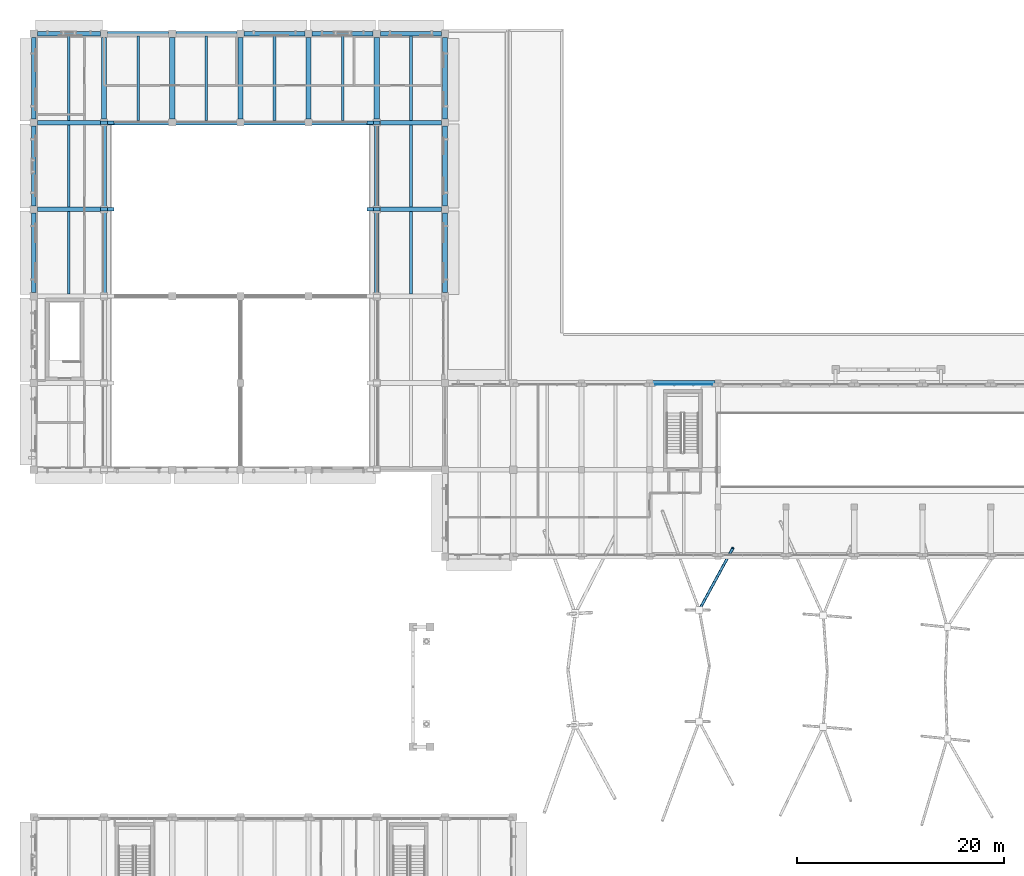
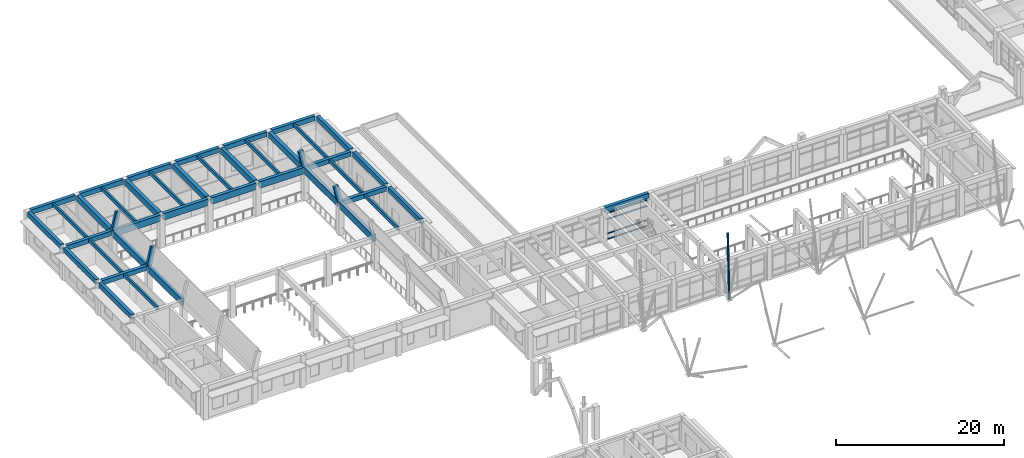
# One storey, part 18 of 75: 44 beams, 5 members, 1 element without a shape of its own.
"""IFC4 building model written with IfcOpenShell, lengths in metres."""

from ifc_helpers import new_model, si_unit, direction, frame, origin, origin_2d, place, context, subcontext, project, spatial, rectangle, hollow_circle, extrude, material, layer, layer_set, material_profile, profile_set, type_object, element, aggregate, save


model = new_model("IFC4")

# Units and contexts
model_context = context("Model", 3, precision=1e-05, world=origin(), true_north=direction((0.0, 1.0)))
body_context = subcontext(model_context, "Body", "Model", "MODEL_VIEW")
ifc_project = project(units=[si_unit("LENGTHUNIT", "METRE"), si_unit("AREAUNIT", "SQUARE_METRE"), si_unit("VOLUMEUNIT", "CUBIC_METRE"), si_unit("PLANEANGLEUNIT", "RADIAN"), si_unit("MASSUNIT", "GRAM", prefix="KILO")], contexts=[model_context])

# Site, building, storey
site_placement = place(None, origin())
site = spatial("IfcSite", under=ifc_project, at=site_placement, CompositionType="ELEMENT")
building_placement = place(site_placement, origin())
building = spatial("IfcBuilding", under=site, at=building_placement, Name="Kolvaren Faculty of Natural Sciences", CompositionType="ELEMENT")
storey_placement = place(building_placement, frame((0.0, 0.0, 5.39990234375)))
storey = spatial("IfcBuildingStorey", under=building, at=storey_placement, Name="L01", CompositionType="ELEMENT", Elevation=5.39990234375)

# Curtain wall, members
ifc_material_1 = material(Name="Thermally broken anodised aluminium framing", Category="aluminium")
ifc_layer = layer(ifc_material_1, 0.179931640625)
ifc_layer_set = layer_set([ifc_layer], Name="Thermally broken anodised aluminium framing")
curtain_wall_type = type_object("IfcCurtainWallType", Name="AtriumCurtainWall_CW01", PredefinedType="NOTDEFINED", material=ifc_layer_set)
curtain_wall_placement = place(storey_placement, origin())
curtain_wall = element("IfcCurtainWall", 1, at=curtain_wall_placement, inside=storey, type_object=curtain_wall_type, Name="L01 unitised curtain wall CW-01 (CW-L01-055)", PredefinedType="NOTDEFINED")
ifc_material_profile_1 = material_profile(ifc_material_1, rectangle(XDim=0.06005859375, YDim=0.139892578125, at=origin_2d()), Name="ALU TRN 60x140")
ifc_profile_set_1 = profile_set([ifc_material_profile_1], Name="Thermally broken anodised aluminium framing")
member_type_1 = type_object("IfcMemberType", Name="CurtainTransom_60x140", PredefinedType="USERDEFINED", material=ifc_profile_set_1)
member_1_placement = place(storey_placement, frame((60.14990234375, 84.0400390625, 0.080078125), z_axis=(1.0, 0.0, 0.0), x_axis=(0.0, 1.0, 0.0)))
member_1 = element("IfcMember", 2, at=member_1_placement, type_object=member_type_1, Name="CW-L01-055 horizontal transom 1", ObjectType="TRANSOM", PredefinedType="USERDEFINED", context=body_context, shape_type="SweptSolid", body=[
    extrude(rectangle(XDim=0.06005859375, YDim=0.139892578125, at=origin_2d()), origin(), (0.0, 0.0, 1.0), 5.5),
])
member_2_placement = place(storey_placement, frame((60.14990234375, 84.0400390625, 0.900146484375), z_axis=(1.0, 0.0, 0.0), x_axis=(0.0, 1.0, 0.0)))
member_2 = element("IfcMember", 3, at=member_2_placement, type_object=member_type_1, Name="CW-L01-055 horizontal transom 2", ObjectType="TRANSOM", PredefinedType="USERDEFINED", context=body_context, shape_type="SweptSolid", body=[
    extrude(rectangle(XDim=0.06005859375, YDim=0.139892578125, at=origin_2d()), origin(), (0.0, 0.0, 1.0), 5.5),
])
member_3_placement = place(storey_placement, frame((60.14990234375, 84.0400390625, 2.985107421875), z_axis=(1.0, 0.0, 0.0), x_axis=(0.0, 1.0, 0.0)))
member_3 = element("IfcMember", 4, at=member_3_placement, type_object=member_type_1, Name="CW-L01-055 horizontal transom 3", ObjectType="TRANSOM", PredefinedType="USERDEFINED", context=body_context, shape_type="SweptSolid", body=[
    extrude(rectangle(XDim=0.06005859375, YDim=0.139892578125, at=origin_2d()), origin(), (0.0, 0.0, 1.0), 5.5),
])
member_4_placement = place(storey_placement, frame((60.14990234375, 84.0400390625, 3.85498046875), z_axis=(1.0, 0.0, 0.0), x_axis=(0.0, 1.0, 0.0)))
member_4 = element("IfcMember", 5, at=member_4_placement, type_object=member_type_1, Name="CW-L01-055 horizontal transom 4", ObjectType="TRANSOM", PredefinedType="USERDEFINED", context=body_context, shape_type="SweptSolid", body=[
    extrude(rectangle(XDim=0.06005859375, YDim=0.139892578125, at=origin_2d()), origin(), (0.0, 0.0, 1.0), 5.5),
])
aggregate(curtain_wall, [member_1, member_2, member_3, member_4])

# Beams
ifc_material_2 = material(Name="Concrete C35/45", Category="concrete")
ifc_material_profile_2 = material_profile(ifc_material_2, rectangle(XDim=0.449951171875, YDim=0.64990234375, at=origin_2d()), Name="RC BM 450x650")
ifc_profile_set_2 = profile_set([ifc_material_profile_2], Name="Concrete C35/45")
beam_type_1 = type_object("IfcBeamType", Name="GridBeam_450x650", PredefinedType="BEAM", material=ifc_profile_set_2)
beam_1_placement = place(storey_placement, frame((0.35009765625, 101.0, 4.47509765625), z_axis=(1.0, 0.0, 0.0), x_axis=(0.0, 1.0, 0.0)))
element("IfcBeam", 6, at=beam_1_placement, inside=storey, type_object=beam_type_1, Name="L01 beam BM-65 on grid N", PredefinedType="BEAM", context=body_context, shape_type="SweptSolid", body=[
    extrude(rectangle(XDim=0.449951171875, YDim=0.64990234375, at=origin_2d()), origin(), (0.0, 0.0, 1.0), 6.099853515625),
])
beam_2_placement = place(storey_placement, frame((33.550048828125, 101.0, 4.47509765625), z_axis=(1.0, 0.0, 0.0), x_axis=(0.0, 1.0, 0.0)))
element("IfcBeam", 7, at=beam_2_placement, inside=storey, type_object=beam_type_1, Name="L01 beam BM-65 on grid N", PredefinedType="BEAM", context=body_context, shape_type="SweptSolid", body=[
    extrude(rectangle(XDim=0.449951171875, YDim=0.64990234375, at=origin_2d()), origin(), (0.0, 0.0, 1.0), 5.89990234375),
])
beam_3_placement = place(storey_placement, frame((0.35009765625, 109.39990234375, 4.47509765625), z_axis=(1.0, 0.0, 0.0), x_axis=(0.0, 1.0, 0.0)))
element("IfcBeam", 8, at=beam_3_placement, inside=storey, type_object=beam_type_1, Name="L01 beam BM-65 on grid P", PredefinedType="BEAM", context=body_context, shape_type="SweptSolid", body=[
    extrude(rectangle(XDim=0.449951171875, YDim=0.64990234375, at=origin_2d()), origin(), (0.0, 0.0, 1.0), 6.099853515625),
])
beam_4_placement = place(storey_placement, frame((33.550048828125, 109.39990234375, 4.47509765625), z_axis=(1.0, 0.0, 0.0), x_axis=(0.0, 1.0, 0.0)))
element("IfcBeam", 9, at=beam_4_placement, inside=storey, type_object=beam_type_1, Name="L01 beam BM-65 on grid P", PredefinedType="BEAM", context=body_context, shape_type="SweptSolid", body=[
    extrude(rectangle(XDim=0.449951171875, YDim=0.64990234375, at=origin_2d()), origin(), (0.0, 0.0, 1.0), 5.89990234375),
])
ifc_material_profile_3 = material_profile(ifc_material_2, rectangle(XDim=0.260009765625, YDim=0.5, at=origin_2d()), Name="RC JST 260x500")
ifc_profile_set_3 = profile_set([ifc_material_profile_3], Name="Concrete C35/45")
beam_type_2 = type_object("IfcBeamType", Name="LabRibJoist_260x500", PredefinedType="JOIST", material=ifc_profile_set_3)
for number, where, z_axis, x_axis, name in (
    (10, (3.39990234375, 92.824951171875, 4.550048828125), (0.0, 1.0, 0.0), (-1.0, 0.0, 0.0), "L01 ribbed laboratory slab joist JS-50"),
    (11, (3.39990234375, 101.22509765625, 4.550048828125), (0.0, 1.0, 0.0), (-1.0, 0.0, 0.0), "L01 ribbed laboratory slab joist JS-50"),
):
    element("IfcBeam", number, at=place(storey_placement, frame(where, z_axis=z_axis, x_axis=x_axis)), inside=storey, type_object=beam_type_2, Name=name, PredefinedType="JOIST", context=body_context, shape_type="SweptSolid", body=[
        extrude(rectangle(XDim=0.260009765625, YDim=0.5, at=origin_2d()), origin(), (0.0, 0.0, 1.0), 7.949951171875),
    ])
for number, where, z_axis, x_axis, name in (
    (12, (3.39990234375, 109.625, 4.550048828125), (0.0, 1.0, 0.0), (-1.0, 0.0, 0.0), "L01 ribbed laboratory slab joist JS-50"),
    (13, (10.10009765625, 109.625, 4.550048828125), (0.0, 1.0, 0.0), (-1.0, 0.0, 0.0), "L01 ribbed laboratory slab joist JS-50"),
    (14, (16.699951171875, 109.625, 4.550048828125), (0.0, 1.0, 0.0), (-1.0, 0.0, 0.0), "L01 ribbed laboratory slab joist JS-50"),
    (15, (23.300048828125, 109.625, 4.550048828125), (0.0, 1.0, 0.0), (-1.0, 0.0, 0.0), "L01 ribbed laboratory slab joist JS-50"),
    (16, (29.89990234375, 109.625, 4.550048828125), (0.0, 1.0, 0.0), (-1.0, 0.0, 0.0), "L01 ribbed laboratory slab joist JS-50"),
):
    element("IfcBeam", number, at=place(storey_placement, frame(where, z_axis=z_axis, x_axis=x_axis)), inside=storey, type_object=beam_type_2, Name=name, PredefinedType="JOIST", context=body_context, shape_type="SweptSolid", body=[
        extrude(rectangle(XDim=0.260009765625, YDim=0.5, at=origin_2d()), origin(), (0.0, 0.0, 1.0), 8.14990234375),
    ])
for number, where, z_axis, x_axis, name in (
    (17, (36.5, 92.824951171875, 4.550048828125), (0.0, 1.0, 0.0), (-1.0, 0.0, 0.0), "L01 ribbed laboratory slab joist JS-50"),
    (18, (36.5, 101.22509765625, 4.550048828125), (0.0, 1.0, 0.0), (-1.0, 0.0, 0.0), "L01 ribbed laboratory slab joist JS-50"),
):
    element("IfcBeam", number, at=place(storey_placement, frame(where, z_axis=z_axis, x_axis=x_axis)), inside=storey, type_object=beam_type_2, Name=name, PredefinedType="JOIST", context=body_context, shape_type="SweptSolid", body=[
        extrude(rectangle(XDim=0.260009765625, YDim=0.5, at=origin_2d()), origin(), (0.0, 0.0, 1.0), 7.949951171875),
    ])
beam_5_placement = place(storey_placement, frame((36.5, 109.625, 4.550048828125), z_axis=(0.0, 1.0, 0.0), x_axis=(-1.0, 0.0, 0.0)))
element("IfcBeam", 19, at=beam_5_placement, inside=storey, type_object=beam_type_2, Name="L01 ribbed laboratory slab joist JS-50", PredefinedType="JOIST", context=body_context, shape_type="SweptSolid", body=[
    extrude(rectangle(XDim=0.260009765625, YDim=0.5, at=origin_2d()), origin(), (0.0, 0.0, 1.0), 8.14990234375),
])
ifc_material_profile_4 = material_profile(ifc_material_2, rectangle(XDim=0.449951171875, YDim=0.699951171875, at=origin_2d()), Name="RC SP 450x700")
ifc_profile_set_4 = profile_set([ifc_material_profile_4], Name="Concrete C35/45")
beam_type_3 = type_object("IfcBeamType", Name="PerimeterSpandrel_450x700", PredefinedType="SPANDREL", material=ifc_profile_set_4)
beam_6_placement = place(storey_placement, frame((59.89990234375, 84.199951171875, 4.4501953125), z_axis=(1.0, 0.0, 0.0), x_axis=(0.0, 1.0, 0.0)))
element("IfcBeam", 20, at=beam_6_placement, inside=storey, type_object=beam_type_3, Name="L01 spandrel SP-70 on grid L", PredefinedType="SPANDREL", context=body_context, shape_type="SweptSolid", body=[
    extrude(rectangle(XDim=0.449951171875, YDim=0.699951171875, at=origin_2d()), origin(), (0.0, 0.0, 1.0), 6.0),
])
beam_7_placement = place(storey_placement, frame((0.35009765625, 118.0, 4.4501953125), z_axis=(1.0, 0.0, 0.0), x_axis=(0.0, 1.0, 0.0)))
element("IfcBeam", 21, at=beam_7_placement, inside=storey, type_object=beam_type_3, Name="L01 spandrel SP-70 on grid Q", PredefinedType="SPANDREL", context=body_context, shape_type="SweptSolid", body=[
    extrude(rectangle(XDim=0.449951171875, YDim=0.699951171875, at=origin_2d()), origin(), (0.0, 0.0, 1.0), 6.099853515625),
])
beam_8_placement = place(storey_placement, frame((7.14990234375, 118.0, 4.4501953125), z_axis=(1.0, 0.0, 0.0), x_axis=(0.0, 1.0, 0.0)))
element("IfcBeam", 22, at=beam_8_placement, inside=storey, type_object=beam_type_3, Name="L01 spandrel SP-70 on grid Q", PredefinedType="SPANDREL", context=body_context, shape_type="SweptSolid", body=[
    extrude(rectangle(XDim=0.449951171875, YDim=0.699951171875, at=origin_2d()), origin(), (0.0, 0.0, 1.0), 5.900146484375),
])
for number, where, z_axis, x_axis, name in (
    (23, (13.75, 118.0, 4.4501953125), (1.0, 0.0, 0.0), (0.0, 1.0, 0.0), "L01 spandrel SP-70 on grid Q"),
    (24, (20.35009765625, 118.0, 4.4501953125), (1.0, 0.0, 0.0), (0.0, 1.0, 0.0), "L01 spandrel SP-70 on grid Q"),
):
    element("IfcBeam", number, at=place(storey_placement, frame(where, z_axis=z_axis, x_axis=x_axis)), inside=storey, type_object=beam_type_3, Name=name, PredefinedType="SPANDREL", context=body_context, shape_type="SweptSolid", body=[
        extrude(rectangle(XDim=0.449951171875, YDim=0.699951171875, at=origin_2d()), origin(), (0.0, 0.0, 1.0), 5.89990234375),
    ])
beam_9_placement = place(storey_placement, frame((26.949951171875, 118.0, 4.4501953125), z_axis=(1.0, 0.0, 0.0), x_axis=(0.0, 1.0, 0.0)))
element("IfcBeam", 25, at=beam_9_placement, inside=storey, type_object=beam_type_3, Name="L01 spandrel SP-70 on grid Q", PredefinedType="SPANDREL", context=body_context, shape_type="SweptSolid", body=[
    extrude(rectangle(XDim=0.449951171875, YDim=0.699951171875, at=origin_2d()), origin(), (0.0, 0.0, 1.0), 5.900146484375),
])
beam_10_placement = place(storey_placement, frame((33.550048828125, 118.0, 4.4501953125), z_axis=(1.0, 0.0, 0.0), x_axis=(0.0, 1.0, 0.0)))
element("IfcBeam", 26, at=beam_10_placement, inside=storey, type_object=beam_type_3, Name="L01 spandrel SP-70 on grid Q", PredefinedType="SPANDREL", context=body_context, shape_type="SweptSolid", body=[
    extrude(rectangle(XDim=0.449951171875, YDim=0.699951171875, at=origin_2d()), origin(), (0.0, 0.0, 1.0), 5.89990234375),
])
for number, where, z_axis, x_axis, name in (
    (27, (0.0, 92.949951171875, 4.4501953125), (0.0, 1.0, 0.0), (-1.0, 0.0, 0.0), "L01 girder SP-70 on grid 1"),
    (28, (0.0, 101.35009765625, 4.4501953125), (0.0, 1.0, 0.0), (-1.0, 0.0, 0.0), "L01 girder SP-70 on grid 1"),
):
    element("IfcBeam", number, at=place(storey_placement, frame(where, z_axis=z_axis, x_axis=x_axis)), inside=storey, type_object=beam_type_3, Name=name, PredefinedType="SPANDREL", context=body_context, shape_type="SweptSolid", body=[
        extrude(rectangle(XDim=0.449951171875, YDim=0.699951171875, at=origin_2d()), origin(), (0.0, 0.0, 1.0), 7.699951171875),
    ])
beam_11_placement = place(storey_placement, frame((0.0, 109.75, 4.4501953125), z_axis=(0.0, 1.0, 0.0), x_axis=(-1.0, 0.0, 0.0)))
element("IfcBeam", 29, at=beam_11_placement, inside=storey, type_object=beam_type_3, Name="L01 girder SP-70 on grid 1", PredefinedType="SPANDREL", context=body_context, shape_type="SweptSolid", body=[
    extrude(rectangle(XDim=0.449951171875, YDim=0.699951171875, at=origin_2d()), origin(), (0.0, 0.0, 1.0), 7.89990234375),
])
for number, where, z_axis, x_axis, name in (
    (30, (39.800048828125, 92.949951171875, 4.4501953125), (0.0, 1.0, 0.0), (-1.0, 0.0, 0.0), "L01 girder SP-70 on grid 7"),
    (31, (39.800048828125, 101.35009765625, 4.4501953125), (0.0, 1.0, 0.0), (-1.0, 0.0, 0.0), "L01 girder SP-70 on grid 7"),
):
    element("IfcBeam", number, at=place(storey_placement, frame(where, z_axis=z_axis, x_axis=x_axis)), inside=storey, type_object=beam_type_3, Name=name, PredefinedType="SPANDREL", context=body_context, shape_type="SweptSolid", body=[
        extrude(rectangle(XDim=0.449951171875, YDim=0.699951171875, at=origin_2d()), origin(), (0.0, 0.0, 1.0), 7.699951171875),
    ])
beam_12_placement = place(storey_placement, frame((39.800048828125, 109.75, 4.4501953125), z_axis=(0.0, 1.0, 0.0), x_axis=(-1.0, 0.0, 0.0)))
element("IfcBeam", 32, at=beam_12_placement, inside=storey, type_object=beam_type_3, Name="L01 girder SP-70 on grid 7", PredefinedType="SPANDREL", context=body_context, shape_type="SweptSolid", body=[
    extrude(rectangle(XDim=0.449951171875, YDim=0.699951171875, at=origin_2d()), origin(), (0.0, 0.0, 1.0), 7.89990234375),
])
ifc_material_profile_5 = material_profile(ifc_material_2, rectangle(XDim=0.5, YDim=0.85009765625, at=origin_2d()), Name="RC BM 500x850")
ifc_profile_set_5 = profile_set([ifc_material_profile_5], Name="Concrete C35/45")
beam_type_4 = type_object("IfcBeamType", Name="PrimaryGirder_500x850", PredefinedType="BEAM", material=ifc_profile_set_5)
for number, where, z_axis, x_axis, name in (
    (33, (6.800048828125, 109.75, 4.375), (0.0, 1.0, 0.0), (-1.0, 0.0, 0.0), "L01 girder BG-85 on grid 2"),
    (34, (13.39990234375, 109.75, 4.375), (0.0, 1.0, 0.0), (-1.0, 0.0, 0.0), "L01 girder BG-85 on grid 3"),
    (35, (20.0, 109.75, 4.375), (0.0, 1.0, 0.0), (-1.0, 0.0, 0.0), "L01 girder BG-85 on grid 4"),
    (36, (26.60009765625, 109.75, 4.375), (0.0, 1.0, 0.0), (-1.0, 0.0, 0.0), "L01 girder BG-85 on grid 5"),
    (37, (33.199951171875, 109.75, 4.375), (0.0, 1.0, 0.0), (-1.0, 0.0, 0.0), "L01 girder BG-85 on grid 6"),
):
    element("IfcBeam", number, at=place(storey_placement, frame(where, z_axis=z_axis, x_axis=x_axis)), inside=storey, type_object=beam_type_4, Name=name, PredefinedType="BEAM", context=body_context, shape_type="SweptSolid", body=[
        extrude(rectangle(XDim=0.5, YDim=0.85009765625, at=origin_2d()), origin(), (0.0, 0.0, 1.0), 7.89990234375),
    ])
ifc_material_3 = material(Name="Concrete C40/50", Category="concrete")
ifc_material_profile_6 = material_profile(ifc_material_3, rectangle(XDim=0.35009765625, YDim=0.64990234375, at=origin_2d()), Name="RC RB 350x650")
ifc_profile_set_6 = profile_set([ifc_material_profile_6], Name="Concrete C40/50")
beam_type_5 = type_object("IfcBeamType", Name="ShellArchRib_350x650", PredefinedType="BEAM", material=ifc_profile_set_6)
for number, where, z_axis, x_axis, name in (
    (38, (6.800048828125, 101.0, 4.47998046875), (0.227934858985, 0.0, 0.973676383641), (0.0, 1.0, 0.0), "Lecture Theatre Pavilion Barrel Vault Shell arched stiffening rib 4.1"),
    (39, (32.553955078125, 101.0, 7.239501953125), (0.227934858985, 0.0, -0.973676383641), (0.0, 1.0, 0.0), "Lecture Theatre Pavilion Barrel Vault Shell arched stiffening rib 4.10"),
    (40, (6.800048828125, 109.39990234375, 4.47998046875), (0.227934858985, 0.0, 0.973676383641), (0.0, 1.0, 0.0), "Lecture Theatre Pavilion Barrel Vault Shell arched stiffening rib 5.1"),
    (41, (32.553955078125, 109.39990234375, 7.239501953125), (0.227934858985, 0.0, -0.973676383641), (0.0, 1.0, 0.0), "Lecture Theatre Pavilion Barrel Vault Shell arched stiffening rib 5.10"),
):
    element("IfcBeam", number, at=place(storey_placement, frame(where, z_axis=z_axis, x_axis=x_axis)), inside=storey, type_object=beam_type_5, Name=name, PredefinedType="BEAM", context=body_context, shape_type="SweptSolid", body=[
        extrude(rectangle(XDim=0.35009765625, YDim=0.64990234375, at=origin_2d()), origin(), (0.0, 0.0, 1.0), 2.834228515625),
    ])
ifc_material_profile_7 = material_profile(ifc_material_3, rectangle(XDim=0.449951171875, YDim=0.949951171875, at=origin_2d()), Name="RC EB 450x950")
ifc_profile_set_7 = profile_set([ifc_material_profile_7], Name="Concrete C40/50")
beam_type_6 = type_object("IfcBeamType", Name="ShellEdgeBeam_450x950", PredefinedType="SPANDREL", material=ifc_profile_set_7)
beam_13_placement = place(storey_placement, frame((7.0400390625, 109.39990234375, 4.3251953125), z_axis=(1.0, 0.0, 0.0), x_axis=(0.0, 1.0, 0.0)))
element("IfcBeam", 42, at=beam_13_placement, inside=storey, type_object=beam_type_6, Name="Lecture Theatre Pavilion Barrel Vault Shell visible RC edge beam EB-SHELL", PredefinedType="SPANDREL", context=body_context, shape_type="SweptSolid", body=[
    extrude(rectangle(XDim=0.449951171875, YDim=0.949951171875, at=origin_2d()), origin(), (0.0, 0.0, 1.0), 6.119873046875),
])
for number, where, z_axis, x_axis, name in (
    (43, (13.639892578125, 109.39990234375, 4.3251953125), (1.0, 0.0, 0.0), (0.0, 1.0, 0.0), "Lecture Theatre Pavilion Barrel Vault Shell visible RC edge beam EB-SHELL"),
    (44, (20.239990234375, 109.39990234375, 4.3251953125), (1.0, 0.0, 0.0), (0.0, 1.0, 0.0), "Lecture Theatre Pavilion Barrel Vault Shell visible RC edge beam EB-SHELL"),
):
    element("IfcBeam", number, at=place(storey_placement, frame(where, z_axis=z_axis, x_axis=x_axis)), inside=storey, type_object=beam_type_6, Name=name, PredefinedType="SPANDREL", context=body_context, shape_type="SweptSolid", body=[
        extrude(rectangle(XDim=0.449951171875, YDim=0.949951171875, at=origin_2d()), origin(), (0.0, 0.0, 1.0), 6.1201171875),
    ])
beam_14_placement = place(storey_placement, frame((26.840087890625, 109.39990234375, 4.3251953125), z_axis=(1.0, 0.0, 0.0), x_axis=(0.0, 1.0, 0.0)))
element("IfcBeam", 45, at=beam_14_placement, inside=storey, type_object=beam_type_6, Name="Lecture Theatre Pavilion Barrel Vault Shell visible RC edge beam EB-SHELL", PredefinedType="SPANDREL", context=body_context, shape_type="SweptSolid", body=[
    extrude(rectangle(XDim=0.449951171875, YDim=0.949951171875, at=origin_2d()), origin(), (0.0, 0.0, 1.0), 6.119873046875),
])
for number, where, z_axis, x_axis, name in (
    (46, (6.800048828125, 92.840087890625, 4.3251953125), (0.0, 1.0, 0.0), (-1.0, 0.0, 0.0), "Lecture Theatre Pavilion Barrel Vault Shell visible RC edge beam EB-SHELL"),
    (47, (6.800048828125, 101.239990234375, 4.3251953125), (0.0, 1.0, 0.0), (-1.0, 0.0, 0.0), "Lecture Theatre Pavilion Barrel Vault Shell visible RC edge beam EB-SHELL"),
    (48, (33.199951171875, 92.840087890625, 4.3251953125), (0.0, 1.0, 0.0), (-1.0, 0.0, 0.0), "Lecture Theatre Pavilion Barrel Vault Shell visible RC edge beam EB-SHELL"),
    (49, (33.199951171875, 101.239990234375, 4.3251953125), (0.0, 1.0, 0.0), (-1.0, 0.0, 0.0), "Lecture Theatre Pavilion Barrel Vault Shell visible RC edge beam EB-SHELL"),
):
    element("IfcBeam", number, at=place(storey_placement, frame(where, z_axis=z_axis, x_axis=x_axis)), inside=storey, type_object=beam_type_6, Name=name, PredefinedType="SPANDREL", context=body_context, shape_type="SweptSolid", body=[
        extrude(rectangle(XDim=0.449951171875, YDim=0.949951171875, at=origin_2d()), origin(), (0.0, 0.0, 1.0), 7.919921875),
    ])

# Member
ifc_material_4 = material(Name="Structural steel EN 10210-1 S355J2H (white architectural finish)", Category="steel")
ifc_material_profile_8 = material_profile(ifc_material_4, hollow_circle(Radius=0.136474609375, WallThickness=0.012451171875, at=origin_2d()), Name="CHS 273x12.5")
ifc_profile_set_8 = profile_set([ifc_material_profile_8], Name="Structural steel EN 10210-1 S355J2H (white architectural finish)")
member_type_2 = type_object("IfcMemberType", Name="TreeBranchPrimary_CHS273", PredefinedType="STRUT", material=ifc_profile_set_8)
member_5_placement = place(storey_placement, frame((64.39990234375, 62.244384765625, 3.0), z_axis=(0.387136496122, 0.71189327855, 0.585946493569), x_axis=(-0.878501269759, 0.477740011965, 0.0)))
element("IfcMember", 50, at=member_5_placement, inside=storey, type_object=member_type_2, Name="Covered street canopy tree TREE-04 inclined branch 5", PredefinedType="STRUT", context=body_context, shape_type="SweptSolid", body=[
    extrude(hollow_circle(Radius=0.136474609375, WallThickness=0.012451171875, at=origin_2d()), origin(), (0.0, 0.0, 1.0), 8.43017578125),
])

save(model, "model.ifc")
